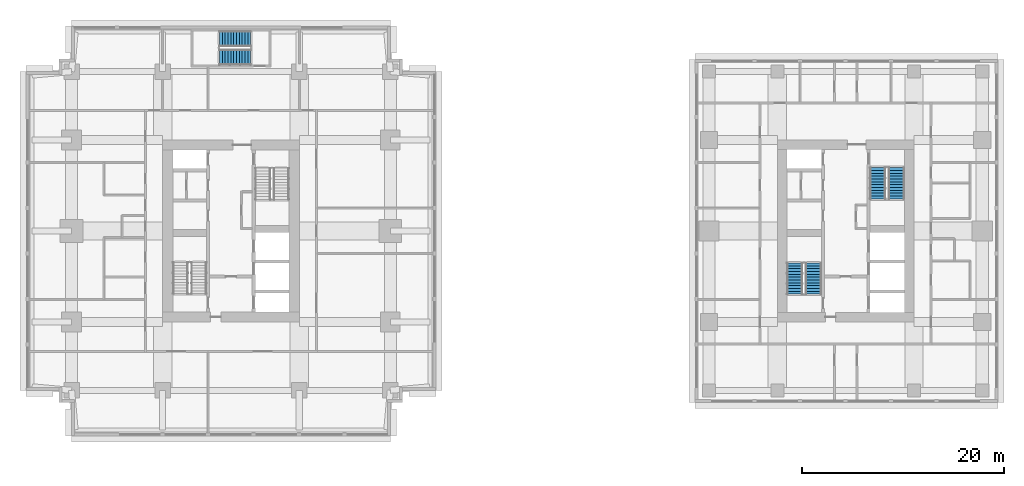
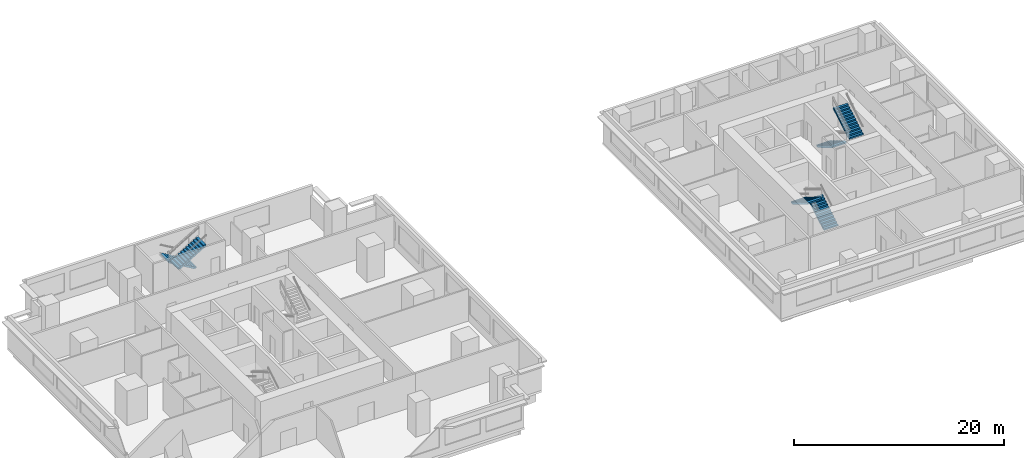
# One storey, part 9 of 11: 6 stair flights, 3 elements without a shape of their own.
"""IFC4 building model written with IfcOpenShell, lengths in metres."""

from ifc_helpers import new_model, si_unit, direction, frame, origin, place, context, subcontext, project, spatial, polyline, outline, extrude, material, type_object, element, aggregate, save


model = new_model("IFC4")

# Units and contexts
model_context = context("Model", 3, precision=1e-05, world=origin(), true_north=direction((0.0, 1.0)))
body_context = subcontext(model_context, "Body", "Model", "MODEL_VIEW")
ifc_project = project(units=[si_unit("LENGTHUNIT", "METRE"), si_unit("AREAUNIT", "SQUARE_METRE"), si_unit("VOLUMEUNIT", "CUBIC_METRE"), si_unit("PLANEANGLEUNIT", "RADIAN"), si_unit("MASSUNIT", "GRAM", prefix="KILO")], contexts=[model_context])

# Site, building, storey
site_placement = place(None, origin())
site = spatial("IfcSite", under=ifc_project, at=site_placement, CompositionType="ELEMENT")
building_placement = place(site_placement, origin())
building = spatial("IfcBuilding", under=site, at=building_placement, Name="Namib Vertical Campus", CompositionType="ELEMENT")
storey_placement = place(building_placement, frame((0.0, 0.0, 225.0)))
storey = spatial("IfcBuildingStorey", under=building, at=storey_placement, Name="L53", CompositionType="ELEMENT", Elevation=225.0)

# Stair, stair flights
ifc_material_1 = material(Name="Concrete C40/50 precast", Category="concrete")
stair_type_1 = type_object("IfcStairType", Name="Exit stair 4000 rise 24 risers 3350 wide", PredefinedType="HALF_TURN_STAIR", material=ifc_material_1)
stair_1_placement = place(storey_placement, origin())
stair_1 = element("IfcStair", 1, at=stair_1_placement, inside=storey, type_object=stair_type_1, Name="Exit stair A-S3 L53", PredefinedType="HALF_TURN_STAIR")
ifc_material_2 = material(Name="Concrete C40/50 precast", Category="concrete")
stair_flight_type_1 = type_object("IfcStairFlightType", Name="Stair flight 12 risers 167 1525 wide", PredefinedType="STRAIGHT", material=ifc_material_2)
stair_flight_1_placement = place(storey_placement, frame((22.199951171875, 39.237548828125, 0.0), z_axis=(0.0, 0.0, 1.0), x_axis=(-1.0, 0.0, 0.0)))
stair_flight_1 = element("IfcStairFlight", 2, at=stair_flight_1_placement, type_object=stair_flight_type_1, Name="A-S3 flight 1", NumberOfRisers=12, NumberOfTreads=11, PredefinedType="STRAIGHT", RiserHeight=0.166666667, TreadLength=0.28, context=body_context, shape_type="SweptSolid", body=[
    extrude(outline(polyline([(0.0, 0.0), (0.0, 0.166748046875), (0.280029296875, 0.166748046875), (0.280029296875, 0.333251953125), (0.56005859375, 0.333251953125), (0.56005859375, 0.5), (0.840087890625, 0.5), (0.840087890625, 0.666748046875), (1.1201171875, 0.666748046875), (1.1201171875, 0.833251953125), (1.39990234375, 0.833251953125), (1.39990234375, 1.0), (1.679931640625, 1.0), (1.679931640625, 1.166748046875), (1.9599609375, 1.166748046875), (1.9599609375, 1.333251953125), (2.239990234375, 1.333251953125), (2.239990234375, 1.5), (2.52001953125, 1.5), (2.52001953125, 1.666748046875), (2.800048828125, 1.666748046875), (2.800048828125, 1.833251953125), (3.080078125, 1.833251953125), (3.080078125, 2.0), (3.080078125, 1.658935546875), (0.29296875, 0.0), (0.0, 0.0)])), frame((0.0, 0.762451171875, 0.0), z_axis=(0.0, -1.0, 0.0), x_axis=(1.0, 0.0, 0.0)), (0.0, 0.0, 1.0), 1.52490234375),
])
stair_flight_2_placement = place(storey_placement, frame((19.1201171875, 37.41259765625, 2.0), z_axis=(0.0, 0.0, 1.0), x_axis=(1.0, 0.0, 0.0)))
stair_flight_2 = element("IfcStairFlight", 3, at=stair_flight_2_placement, type_object=stair_flight_type_1, Name="A-S3 flight 2", NumberOfRisers=12, NumberOfTreads=11, PredefinedType="STRAIGHT", RiserHeight=0.166666667, TreadLength=0.28, context=body_context, shape_type="SweptSolid", body=[
    extrude(outline(polyline([(0.0, 0.0), (0.0, 0.166748046875), (0.280029296875, 0.166748046875), (0.280029296875, 0.333251953125), (0.56005859375, 0.333251953125), (0.56005859375, 0.5), (0.840087890625, 0.5), (0.840087890625, 0.666748046875), (1.1201171875, 0.666748046875), (1.1201171875, 0.833251953125), (1.39990234375, 0.833251953125), (1.39990234375, 1.0), (1.679931640625, 1.0), (1.679931640625, 1.166748046875), (1.9599609375, 1.166748046875), (1.9599609375, 1.333251953125), (2.239990234375, 1.333251953125), (2.239990234375, 1.5), (2.52001953125, 1.5), (2.52001953125, 1.666748046875), (2.800048828125, 1.666748046875), (2.800048828125, 1.833251953125), (3.080078125, 1.833251953125), (3.080078125, 2.0), (3.080078125, 1.658935546875), (0.29296875, 0.0), (0.0, 0.0)])), frame((0.0, 0.762451171875, 0.0), z_axis=(0.0, -1.0, 0.0), x_axis=(1.0, 0.0, 0.0)), (0.0, 0.0, 1.0), 1.52490234375),
])
aggregate(stair_1, [stair_flight_1, stair_flight_2])

ifc_material_3 = material(Name="Concrete C40/50 precast", Category="concrete")
stair_type_2 = type_object("IfcStairType", Name="Exit stair 4000 rise 24 risers 3400 wide", PredefinedType="HALF_TURN_STAIR", material=ifc_material_3)
stair_2_placement = place(storey_placement, origin())
stair_2 = element("IfcStair", 4, at=stair_2_placement, inside=storey, type_object=stair_type_2, Name="Exit stair B-S1 L53", PredefinedType="HALF_TURN_STAIR")
ifc_material_4 = material(Name="Concrete C40/50 precast", Category="concrete")
stair_flight_type_2 = type_object("IfcStairFlightType", Name="Stair flight 12 risers 167 1550 wide", PredefinedType="STRAIGHT", material=ifc_material_4)
stair_flight_3_placement = place(storey_placement, frame((77.824951171875, 14.0, 0.0), z_axis=(0.0, 0.0, 1.0), x_axis=(0.0, 1.0, 0.0)))
stair_flight_3 = element("IfcStairFlight", 5, at=stair_flight_3_placement, type_object=stair_flight_type_2, Name="B-S1 flight 1", NumberOfRisers=12, NumberOfTreads=11, PredefinedType="STRAIGHT", RiserHeight=0.166666667, TreadLength=0.28, context=body_context, shape_type="SweptSolid", body=[
    extrude(outline(polyline([(0.0, 0.0), (0.0, 0.166748046875), (0.280029296875, 0.166748046875), (0.280029296875, 0.333251953125), (0.56005859375, 0.333251953125), (0.56005859375, 0.5), (0.840087890625, 0.5), (0.840087890625, 0.666748046875), (1.1201171875, 0.666748046875), (1.1201171875, 0.833251953125), (1.39990234375, 0.833251953125), (1.39990234375, 1.0), (1.679931640625, 1.0), (1.679931640625, 1.166748046875), (1.9599609375, 1.166748046875), (1.9599609375, 1.333251953125), (2.239990234375, 1.333251953125), (2.239990234375, 1.5), (2.52001953125, 1.5), (2.52001953125, 1.666748046875), (2.800048828125, 1.666748046875), (2.800048828125, 1.833251953125), (3.080078125, 1.833251953125), (3.080078125, 2.0), (3.080078125, 1.658935546875), (0.29296875, 0.0), (0.0, 0.0)])), frame((0.0, 0.77490234375, 0.0), z_axis=(0.0, -1.0, 0.0), x_axis=(1.0, 0.0, 0.0)), (0.0, 0.0, 1.0), 1.550048828125),
])
stair_flight_4_placement = place(storey_placement, frame((75.97509765625, 17.080078125, 2.0), z_axis=(0.0, 0.0, 1.0), x_axis=(0.0, -1.0, 0.0)))
stair_flight_4 = element("IfcStairFlight", 6, at=stair_flight_4_placement, type_object=stair_flight_type_2, Name="B-S1 flight 2", NumberOfRisers=12, NumberOfTreads=11, PredefinedType="STRAIGHT", RiserHeight=0.166666667, TreadLength=0.28, context=body_context, shape_type="SweptSolid", body=[
    extrude(outline(polyline([(0.0, 0.0), (0.0, 0.166748046875), (0.280029296875, 0.166748046875), (0.280029296875, 0.333251953125), (0.56005859375, 0.333251953125), (0.56005859375, 0.5), (0.840087890625, 0.5), (0.840087890625, 0.666748046875), (1.1201171875, 0.666748046875), (1.1201171875, 0.833251953125), (1.39990234375, 0.833251953125), (1.39990234375, 1.0), (1.679931640625, 1.0), (1.679931640625, 1.166748046875), (1.9599609375, 1.166748046875), (1.9599609375, 1.333251953125), (2.239990234375, 1.333251953125), (2.239990234375, 1.5), (2.52001953125, 1.5), (2.52001953125, 1.666748046875), (2.800048828125, 1.666748046875), (2.800048828125, 1.833251953125), (3.080078125, 1.833251953125), (3.080078125, 2.0), (3.080078125, 1.658935546875), (0.29296875, 0.0), (0.0, 0.0)])), frame((0.0, 0.77490234375, 0.0), z_axis=(0.0, -1.0, 0.0), x_axis=(1.0, 0.0, 0.0)), (0.0, 0.0, 1.0), 1.550048828125),
])
aggregate(stair_2, [stair_flight_3, stair_flight_4])

stair_3_placement = place(storey_placement, origin())
stair_3 = element("IfcStair", 7, at=stair_3_placement, inside=storey, type_object=stair_type_2, Name="Exit stair B-S2 L53", PredefinedType="HALF_TURN_STAIR")
stair_flight_5_placement = place(storey_placement, frame((84.175048828125, 26.5, 0.0), z_axis=(0.0, 0.0, 1.0), x_axis=(0.0, -1.0, 0.0)))
stair_flight_5 = element("IfcStairFlight", 8, at=stair_flight_5_placement, type_object=stair_flight_type_2, Name="B-S2 flight 1", NumberOfRisers=12, NumberOfTreads=11, PredefinedType="STRAIGHT", RiserHeight=0.166666667, TreadLength=0.28, context=body_context, shape_type="SweptSolid", body=[
    extrude(outline(polyline([(0.0, 0.0), (0.0, 0.166748046875), (0.280029296875, 0.166748046875), (0.280029296875, 0.333251953125), (0.56005859375, 0.333251953125), (0.56005859375, 0.5), (0.840087890625, 0.5), (0.840087890625, 0.666748046875), (1.1201171875, 0.666748046875), (1.1201171875, 0.833251953125), (1.39990234375, 0.833251953125), (1.39990234375, 1.0), (1.679931640625, 1.0), (1.679931640625, 1.166748046875), (1.9599609375, 1.166748046875), (1.9599609375, 1.333251953125), (2.239990234375, 1.333251953125), (2.239990234375, 1.5), (2.52001953125, 1.5), (2.52001953125, 1.666748046875), (2.800048828125, 1.666748046875), (2.800048828125, 1.833251953125), (3.080078125, 1.833251953125), (3.080078125, 2.0), (3.080078125, 1.658935546875), (0.29296875, 0.0), (0.0, 0.0)])), frame((0.0, 0.77490234375, 0.0), z_axis=(0.0, -1.0, 0.0), x_axis=(1.0, 0.0, 0.0)), (0.0, 0.0, 1.0), 1.550048828125),
])
stair_flight_6_placement = place(storey_placement, frame((86.02490234375, 23.419921875, 2.0), z_axis=(0.0, 0.0, 1.0), x_axis=(0.0, 1.0, 0.0)))
stair_flight_6 = element("IfcStairFlight", 9, at=stair_flight_6_placement, type_object=stair_flight_type_2, Name="B-S2 flight 2", NumberOfRisers=12, NumberOfTreads=11, PredefinedType="STRAIGHT", RiserHeight=0.166666667, TreadLength=0.28, context=body_context, shape_type="SweptSolid", body=[
    extrude(outline(polyline([(0.0, 0.0), (0.0, 0.166748046875), (0.280029296875, 0.166748046875), (0.280029296875, 0.333251953125), (0.56005859375, 0.333251953125), (0.56005859375, 0.5), (0.840087890625, 0.5), (0.840087890625, 0.666748046875), (1.1201171875, 0.666748046875), (1.1201171875, 0.833251953125), (1.39990234375, 0.833251953125), (1.39990234375, 1.0), (1.679931640625, 1.0), (1.679931640625, 1.166748046875), (1.9599609375, 1.166748046875), (1.9599609375, 1.333251953125), (2.239990234375, 1.333251953125), (2.239990234375, 1.5), (2.52001953125, 1.5), (2.52001953125, 1.666748046875), (2.800048828125, 1.666748046875), (2.800048828125, 1.833251953125), (3.080078125, 1.833251953125), (3.080078125, 2.0), (3.080078125, 1.658935546875), (0.29296875, 0.0), (0.0, 0.0)])), frame((0.0, 0.77490234375, 0.0), z_axis=(0.0, -1.0, 0.0), x_axis=(1.0, 0.0, 0.0)), (0.0, 0.0, 1.0), 1.550048828125),
])
aggregate(stair_3, [stair_flight_5, stair_flight_6])

save(model, "model.ifc")
